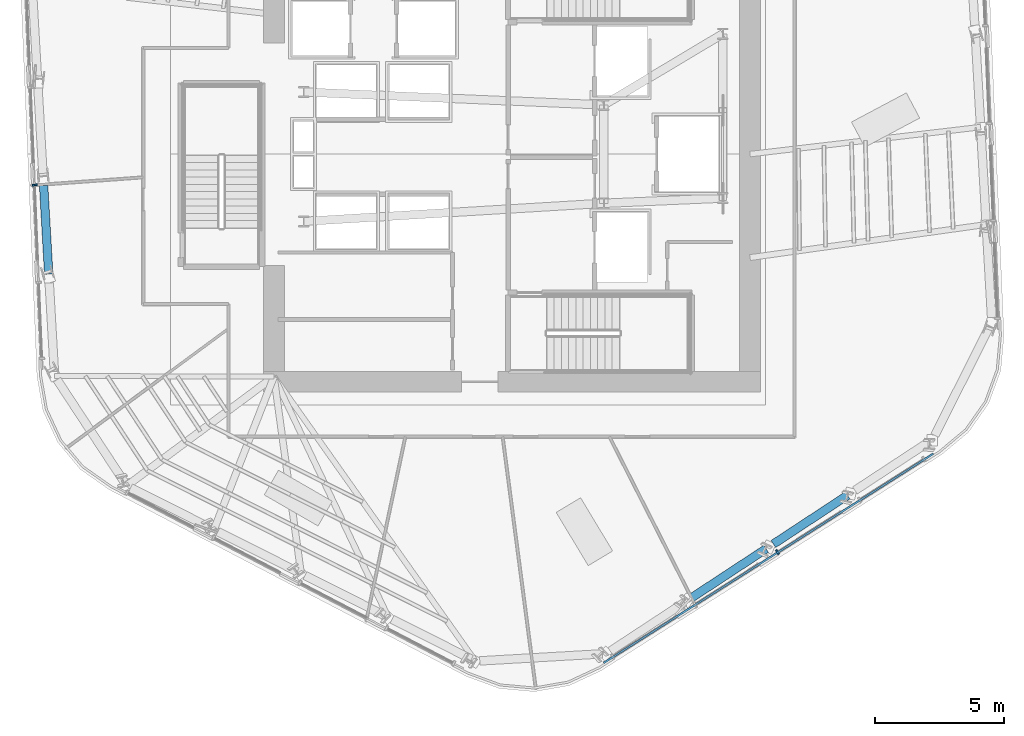
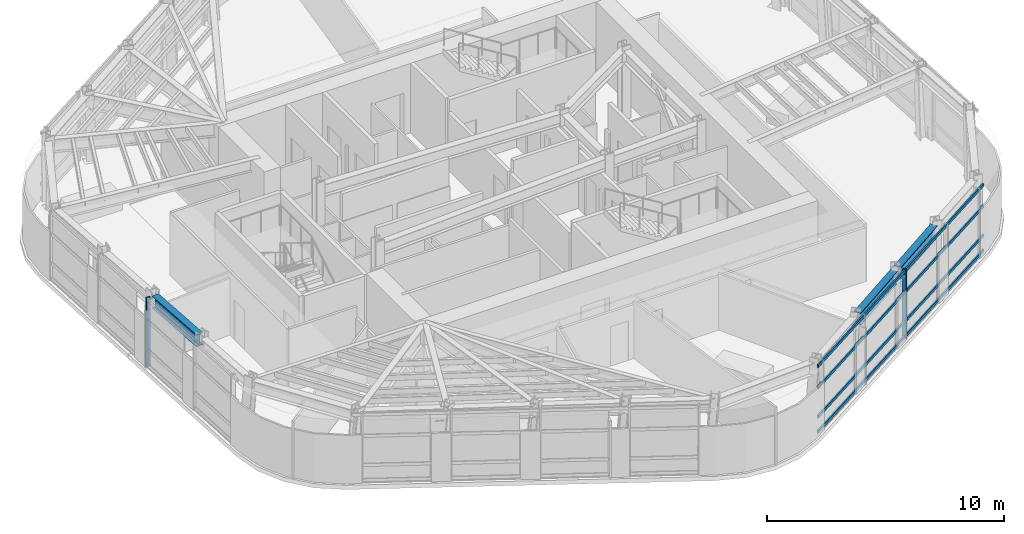
# One storey, part 3 of 15: 6 members, 3 beams, 2 elements without a shape of their own.
"""IFC4 building model written with IfcOpenShell, lengths in metres."""

from ifc_helpers import new_model, si_unit, direction, frame, origin, origin_2d, place, context, subcontext, project, spatial, rectangle, i_section, extrude, material, layer, layer_set, material_profile, profile_set, type_object, element, aggregate, save


model = new_model("IFC4")

# Units and contexts
model_context = context("Model", 3, precision=1e-05, world=origin(), true_north=direction((0.0, 1.0)))
body_context = subcontext(model_context, "Body", "Model", "MODEL_VIEW")
ifc_project = project(units=[si_unit("LENGTHUNIT", "METRE"), si_unit("AREAUNIT", "SQUARE_METRE"), si_unit("VOLUMEUNIT", "CUBIC_METRE"), si_unit("PLANEANGLEUNIT", "RADIAN"), si_unit("MASSUNIT", "GRAM", prefix="KILO")], contexts=[model_context])

# Site, building, storey
site_placement = place(None, origin())
site = spatial("IfcSite", under=ifc_project, at=site_placement, CompositionType="ELEMENT")
building_placement = place(site_placement, origin())
building = spatial("IfcBuilding", under=site, at=building_placement, Name="Valkerne Bourse Tower", CompositionType="ELEMENT")
storey_placement = place(building_placement, frame((0.0, 0.0, 162.800048828125)))
storey = spatial("IfcBuildingStorey", under=building, at=storey_placement, Name="L41", CompositionType="ELEMENT", Elevation=162.800048828125)

# Beams
ifc_material_1 = material(Name="Steel ASTM A992", Category="steel")
ifc_material_profile_1 = material_profile(ifc_material_1, i_section(OverallWidth=0.32763671875, OverallDepth=0.62744140625, WebThickness=0.0166015625, FlangeThickness=0.027587890625, FilletRadius=0.020263671875, at=origin_2d()), Name="W24X146")
ifc_profile_set_1 = profile_set([ifc_material_profile_1], Name="Steel ASTM A992")
beam_type = type_object("IfcBeamType", Name="BM-W24X146", PredefinedType="SPANDREL", material=ifc_profile_set_1)
beam_1_placement = place(storey_placement, frame((28.69677734375, 25.785888671875, 3.266357421875), z_axis=(0.057495607521, -0.998345759302, 0.0), x_axis=(0.998345759302, 0.057495607521, 0.0)))
element("IfcBeam", 1, at=beam_1_placement, inside=storey, type_object=beam_type, Name="L41 Hexagonal Spandrel Ring Beam 12", PredefinedType="SPANDREL", context=body_context, shape_type="SweptSolid", body=[
    extrude(i_section(OverallWidth=0.32763671875, OverallDepth=0.62744140625, WebThickness=0.0166015625, FlangeThickness=0.027587890625, FilletRadius=0.020263671875, at=origin_2d()), origin(), (0.0, 0.0, 1.0), 3.430908203125),
])
beam_2_placement = place(storey_placement, frame((53.751220703125, 9.858642578125, 3.266357421875), z_axis=(0.835796907879, 0.549038731585, 0.0), x_axis=(-0.549038731585, 0.835796907879, 0.0)))
element("IfcBeam", 2, at=beam_2_placement, inside=storey, type_object=beam_type, Name="L41 Hexagonal Spandrel Ring Beam 21", PredefinedType="SPANDREL", context=body_context, shape_type="SweptSolid", body=[
    extrude(i_section(OverallWidth=0.32763671875, OverallDepth=0.62744140625, WebThickness=0.0166015625, FlangeThickness=0.027587890625, FilletRadius=0.020263671875, at=origin_2d()), origin(), (0.0, 0.0, 1.0), 3.43115234375),
])
beam_3_placement = place(storey_placement, frame((56.903076171875, 11.92919921875, 3.266357421875), z_axis=(0.835829560031, 0.548989022275, 0.0), x_axis=(-0.548989022275, 0.835829560031, 0.0)))
element("IfcBeam", 3, at=beam_3_placement, inside=storey, type_object=beam_type, Name="L41 Hexagonal Spandrel Ring Beam 22", PredefinedType="SPANDREL", context=body_context, shape_type="SweptSolid", body=[
    extrude(i_section(OverallWidth=0.32763671875, OverallDepth=0.62744140625, WebThickness=0.0166015625, FlangeThickness=0.027587890625, FilletRadius=0.020263671875, at=origin_2d()), origin(), (0.0, 0.0, 1.0), 3.430908203125),
])

# Curtain wall, member
ifc_material_2 = material(Name="Aluminium AA 6063-T6", Category="aluminium")
ifc_layer = layer(ifc_material_2, 0.235107421875)
ifc_layer_set = layer_set([ifc_layer], Name="Aluminium AA 6063-T6")
curtain_wall_type = type_object("IfcCurtainWallType", Name="CW-03", PredefinedType="NOTDEFINED", material=ifc_layer_set)
curtain_wall_1_placement = place(storey_placement, origin())
curtain_wall_1 = element("IfcCurtainWall", 4, at=curtain_wall_1_placement, inside=storey, type_object=curtain_wall_type, Name="L41 Hexagonal Stick Curtain Wall Face 3", PredefinedType="NOTDEFINED")
ifc_material_profile_2 = material_profile(ifc_material_2, rectangle(XDim=0.074951171875, YDim=0.199951171875, at=origin_2d()), Name="CWM-75X200")
ifc_profile_set_2 = profile_set([ifc_material_profile_2], Name="Aluminium AA 6063-T6")
member_type_1 = type_object("IfcMemberType", Name="CW-MUL-220X75", PredefinedType="MULLION", material=ifc_profile_set_2)
member_1_placement = place(storey_placement, frame((28.3505859375, 25.806396484375, 0.0), z_axis=(0.0, 0.0, 1.0), x_axis=(0.041872101908, -0.999122978958, 0.0)))
member_1 = element("IfcMember", 5, at=member_1_placement, type_object=member_type_1, Name="CW-L41-F3 Jamb Mullion 02A", PredefinedType="MULLION", context=body_context, shape_type="SweptSolid", body=[
    extrude(rectangle(XDim=0.074951171875, YDim=0.199951171875, at=origin_2d()), origin(), (0.0, 0.0, 1.0), 3.579833984375),
])
aggregate(curtain_wall_1, [member_1])

# Curtain wall, members
curtain_wall_2_placement = place(storey_placement, origin())
curtain_wall_2 = element("IfcCurtainWall", 6, at=curtain_wall_2_placement, inside=storey, type_object=curtain_wall_type, Name="L41 Hexagonal Stick Curtain Wall Face 5", PredefinedType="NOTDEFINED")
member_2_placement = place(storey_placement, frame((57.058349609375, 11.619140625, 0.0), z_axis=(0.0, 0.0, 1.0), x_axis=(0.844331265878, 0.535821531353, 0.0)))
member_2 = element("IfcMember", 7, at=member_2_placement, type_object=member_type_1, Name="CW-L41-F5 Jamb Mullion 02A", PredefinedType="MULLION", context=body_context, shape_type="SweptSolid", body=[
    extrude(rectangle(XDim=0.074951171875, YDim=0.199951171875, at=origin_2d()), origin(), (0.0, 0.0, 1.0), 3.579833984375),
])
ifc_material_profile_3 = material_profile(ifc_material_2, rectangle(XDim=0.074951171875, YDim=0.14990234375, at=origin_2d()), Name="CWT-75X150")
ifc_profile_set_3 = profile_set([ifc_material_profile_3], Name="Aluminium AA 6063-T6")
member_type_2 = type_object("IfcMemberType", Name="CW-TRN-180X65", PredefinedType="USERDEFINED", material=ifc_profile_set_3)
member_3_placement = place(storey_placement, frame((50.3466796875, 7.3359375, 0.119873046875), z_axis=(0.844324632394, 0.535831984052, 0.0), x_axis=(-0.535831984052, 0.844324632394, 0.0)))
member_3 = element("IfcMember", 8, at=member_3_placement, type_object=member_type_2, Name="CW-L41-F5 Continuous Face Transom 1", ObjectType="TRANSOM", PredefinedType="USERDEFINED", context=body_context, shape_type="SweptSolid", body=[
    extrude(rectangle(XDim=0.074951171875, YDim=0.14990234375, at=origin_2d()), origin(), (0.0, 0.0, 1.0), 15.083984375),
])
member_4_placement = place(storey_placement, frame((50.3466796875, 7.3359375, 0.89990234375), z_axis=(0.844324632394, 0.535831984052, 0.0), x_axis=(-0.535831984052, 0.844324632394, 0.0)))
member_4 = element("IfcMember", 9, at=member_4_placement, type_object=member_type_2, Name="CW-L41-F5 Continuous Face Transom 2", ObjectType="TRANSOM", PredefinedType="USERDEFINED", context=body_context, shape_type="SweptSolid", body=[
    extrude(rectangle(XDim=0.074951171875, YDim=0.14990234375, at=origin_2d()), origin(), (0.0, 0.0, 1.0), 15.083984375),
])
member_5_placement = place(storey_placement, frame((50.3466796875, 7.3359375, 2.39990234375), z_axis=(0.844324632394, 0.535831984052, 0.0), x_axis=(-0.535831984052, 0.844324632394, 0.0)))
member_5 = element("IfcMember", 10, at=member_5_placement, type_object=member_type_2, Name="CW-L41-F5 Continuous Face Transom 3", ObjectType="TRANSOM", PredefinedType="USERDEFINED", context=body_context, shape_type="SweptSolid", body=[
    extrude(rectangle(XDim=0.074951171875, YDim=0.14990234375, at=origin_2d()), origin(), (0.0, 0.0, 1.0), 15.083984375),
])
member_6_placement = place(storey_placement, frame((50.3466796875, 7.3359375, 3.5), z_axis=(0.844324632394, 0.535831984052, 0.0), x_axis=(-0.535831984052, 0.844324632394, 0.0)))
member_6 = element("IfcMember", 11, at=member_6_placement, type_object=member_type_2, Name="CW-L41-F5 Continuous Face Transom 4", ObjectType="TRANSOM", PredefinedType="USERDEFINED", context=body_context, shape_type="SweptSolid", body=[
    extrude(rectangle(XDim=0.074951171875, YDim=0.14990234375, at=origin_2d()), origin(), (0.0, 0.0, 1.0), 15.083984375),
])
aggregate(curtain_wall_2, [member_3, member_4, member_5, member_6, member_2])

save(model, "model.ifc")
